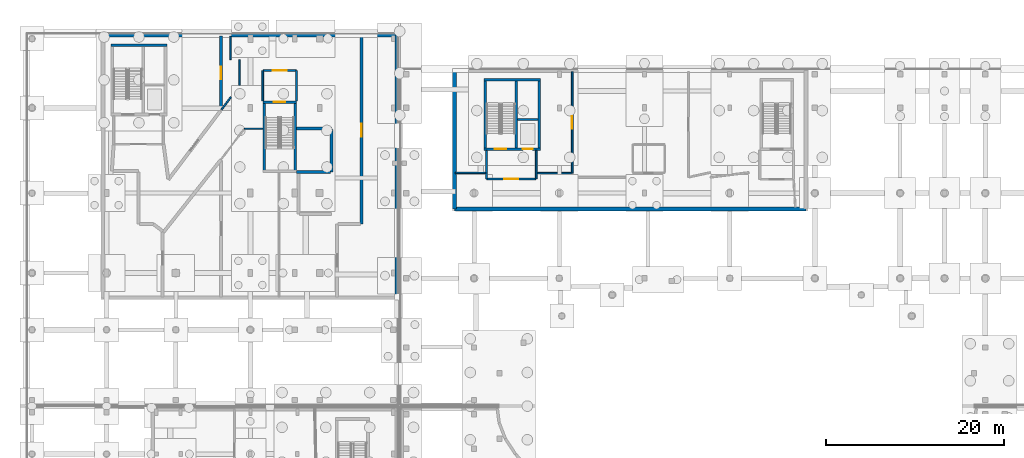
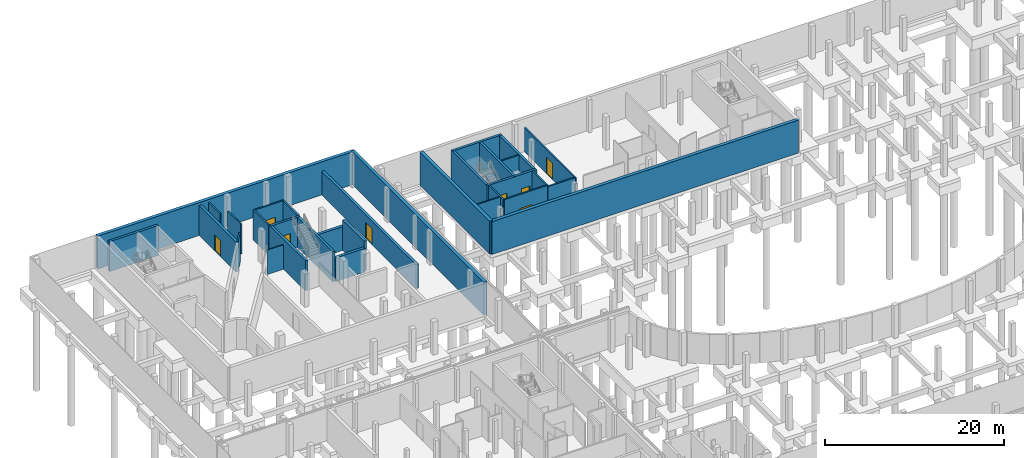
# One storey, part 24 of 40: 32 walls, 8 doors, 8 openings.
"""IFC4 building model written with IfcOpenShell, lengths in metres."""

from ifc_helpers import new_model, si_unit, direction, frame, frame_2d, origin, place, context, subcontext, project, spatial, rectangle, extrude, material, layer, layer_set, type_object, element, fill, save


model = new_model("IFC4")

# Units and contexts
model_context = context("Model", 3, precision=1e-05, world=origin(), true_north=direction((0.0, 1.0)))
body_context = subcontext(model_context, "Body", "Model", "MODEL_VIEW")
ifc_project = project(units=[si_unit("LENGTHUNIT", "METRE"), si_unit("AREAUNIT", "SQUARE_METRE"), si_unit("VOLUMEUNIT", "CUBIC_METRE"), si_unit("PLANEANGLEUNIT", "RADIAN"), si_unit("MASSUNIT", "GRAM", prefix="KILO")], contexts=[model_context])

# Site, building, storey
site_placement = place(None, origin())
site = spatial("IfcSite", under=ifc_project, at=site_placement, CompositionType="ELEMENT")
building_placement = place(site_placement, origin())
building = spatial("IfcBuilding", under=site, at=building_placement, Name="Mzevani Central Library", CompositionType="ELEMENT")
storey_placement = place(building_placement, frame((0.0, 0.0, -4.5)))
storey = spatial("IfcBuildingStorey", under=building, at=storey_placement, Name="B1", CompositionType="ELEMENT", Elevation=-4.5)

# Wall, opening, door
ifc_material_1 = material(Name="Concrete C40/50", Category="concrete")
ifc_layer_1 = layer(ifc_material_1, 0.340087890625, Name="Archival Vault Wall 340")
ifc_layer_set_1 = layer_set([ifc_layer_1], Name="Concrete C40/50")
wall_type_1 = type_object("IfcWallType", Name="Archival Vault Wall 340", PredefinedType="STANDARD", material=ifc_layer_set_1)
wall_1_placement = place(storey_placement, frame((25.8759765625, 117.68994140625, 0.0), z_axis=(0.0, 0.0, 1.0), x_axis=(0.0, -1.0, 0.0)))
wall_1 = element("IfcWall", 1, at=wall_1_placement, inside=storey, type_object=wall_type_1, Name="B1 V2 Partition IW-VAULT (7)", PredefinedType="STANDARD", context=body_context, shape_type="SweptSolid", body=[
    extrude(rectangle(XDim=8.362548828125, YDim=0.340087890625, at=frame_2d((4.18115234375, 0.0))), origin(), (0.0, 0.0, 1.0), 4.10009765625),
])
opening_1_placement = place(wall_1_placement, frame((3.481201171875, 0.0, 0.0)))
opening_1 = element("IfcOpeningElement", 2, at=opening_1_placement, cuts=wall_1, Name="Opening ID-10", PredefinedType="OPENING", context=body_context, shape_type="SweptSolid", body=[
    extrude(rectangle(XDim=1.39990234375, YDim=2.199951171875, at=frame_2d((0.699951171875, 1.10009765625))), frame((0.0, 0.18017578125, 0.0), z_axis=(0.0, -1.0, 0.0), x_axis=(1.0, 0.0, 0.0)), (0.0, 0.0, 1.0), 0.360107421875),
])
ifc_material_2 = material(Name="Fire-rated steel door assembly", Category="steel")
door_type_1 = type_object("IfcDoorType", Name="Plant Room Double Door 1400x2200", OperationType="NOTDEFINED", PredefinedType="DOOR", material=ifc_material_2)
door_1_placement = place(opening_1_placement, origin())
door_1 = element("IfcDoor", 3, at=door_1_placement, inside=storey, type_object=door_type_1, Name="B1 Chiller and District Heating Plant Room Door", OperationType="DOUBLE_DOOR_SINGLE_SWING", OverallHeight=2.199951171875, OverallWidth=1.39990234375, PredefinedType="DOOR", context=body_context, shape_type="SweptSolid", body=[
    extrude(rectangle(XDim=1.39990234375, YDim=2.199951171875, at=frame_2d((0.699951171875, 1.10009765625))), frame((0.0, 0.02490234375, 0.0), z_axis=(0.0, -1.0, 0.0), x_axis=(1.0, 0.0, 0.0)), (0.0, 0.0, 1.0), 0.050048828125),
])
fill(opening_1, door_1)

# Walls
wall_2_placement = place(storey_placement, frame((34.39990234375, 107.25, 0.0), z_axis=(0.0, 0.0, 1.0), x_axis=(1.0, 0.0, 0.0)))
element("IfcWall", 4, at=wall_2_placement, inside=storey, type_object=wall_type_1, Name="B1 V2 Partition IW-VAULT (18)", PredefinedType="STANDARD", context=body_context, shape_type="SweptSolid", body=[
    extrude(rectangle(XDim=3.940185546875, YDim=0.340087890625, at=frame_2d((1.97021484375, 0.0))), origin(), (0.0, 0.0, 1.0), 3.22998046875),
])
wall_3_placement = place(storey_placement, frame((38.340087890625, 107.14990234375, 0.0), z_axis=(0.0, 0.0, 1.0), x_axis=(0.0, -1.0, 0.0)))
element("IfcWall", 5, at=wall_3_placement, inside=storey, type_object=wall_type_1, Name="B1 V2 Partition IW-VAULT (19)", PredefinedType="STANDARD", context=body_context, shape_type="SweptSolid", body=[
    extrude(rectangle(XDim=4.7998046875, YDim=0.340087890625, at=frame_2d((2.39990234375, 0.0))), origin(), (0.0, 0.0, 1.0), 4.10009765625),
])
wall_4_placement = place(storey_placement, frame((38.239990234375, 102.35009765625, 0.0), z_axis=(0.0, 0.0, 1.0), x_axis=(-1.0, 0.0, 0.0)))
element("IfcWall", 6, at=wall_4_placement, inside=storey, type_object=wall_type_1, Name="B1 V2 Partition IW-VAULT (20)", PredefinedType="STANDARD", context=body_context, shape_type="SweptSolid", body=[
    extrude(rectangle(XDim=3.840087890625, YDim=0.340087890625, at=frame_2d((1.919921875, 0.0))), origin(), (0.0, 0.0, 1.0), 3.22998046875),
])

# Wall, opening, door
wall_5_placement = place(storey_placement, frame((41.699951171875, 96.5, 0.0), z_axis=(0.0, 0.0, 1.0), x_axis=(0.0, 1.0, 0.0)))
wall_5 = element("IfcWall", 7, at=wall_5_placement, inside=storey, type_object=wall_type_1, Name="B1 V2 Partition IW-VAULT (24)", PredefinedType="STANDARD", context=body_context, shape_type="SweptSolid", body=[
    extrude(rectangle(XDim=21.1201171875, YDim=0.340087890625, at=frame_2d((10.56005859375, 0.0))), origin(), (0.0, 0.0, 1.0), 3.22998046875),
])
opening_2_placement = place(wall_5_placement, frame((9.8349609375, 0.0, 0.0)))
opening_2 = element("IfcOpeningElement", 8, at=opening_2_placement, cuts=wall_5, Name="Opening FD-03", PredefinedType="OPENING", context=body_context, shape_type="SweptSolid", body=[
    extrude(rectangle(XDim=1.449951171875, YDim=2.199951171875, at=frame_2d((0.72509765625, 1.10009765625))), frame((0.0, 0.18017578125, 0.0), z_axis=(0.0, -1.0, 0.0), x_axis=(1.0, 0.0, 0.0)), (0.0, 0.0, 1.0), 0.360107421875),
])
door_type_2 = type_object("IfcDoorType", Name="Archival Vault Fire Door 1450x2200", OperationType="NOTDEFINED", PredefinedType="DOOR", material=ifc_material_2)
door_2_placement = place(opening_2_placement, origin())
door_2 = element("IfcDoor", 9, at=door_2_placement, inside=storey, type_object=door_type_2, Name="B1 Manuscript Preservation Vault 3 Door", OperationType="DOUBLE_DOOR_SINGLE_SWING", OverallHeight=2.199951171875, OverallWidth=1.449951171875, PredefinedType="DOOR", context=body_context, shape_type="SweptSolid", body=[
    extrude(rectangle(XDim=1.449951171875, YDim=2.199951171875, at=frame_2d((0.72509765625, 1.10009765625))), frame((0.0, 0.02490234375, 0.0), z_axis=(0.0, -1.0, 0.0), x_axis=(1.0, 0.0, 0.0)), (0.0, 0.0, 1.0), 0.050048828125),
])
fill(opening_2, door_2)

# Walls
ifc_material_3 = material(Name="Concrete C35/45", Category="concrete")
ifc_layer_2 = layer(ifc_material_3, 0.419921875, Name="Basement Retaining Wall 420")
ifc_layer_set_2 = layer_set([ifc_layer_2], Name="Concrete C35/45")
wall_type_2 = type_object("IfcWallType", Name="Basement Retaining Wall 420", PredefinedType="SOLIDWALL", material=ifc_layer_set_2)
wall_6_placement = place(storey_placement, frame((12.610107421875, 117.7900390625, 0.0), z_axis=(0.0, 0.0, 1.0), x_axis=(1.0, 0.0, 0.0)))
element("IfcWall", 10, at=wall_6_placement, inside=storey, type_object=wall_type_2, Name="B1 V2 Perimeter Retaining Wall (41)", PredefinedType="SOLIDWALL", context=body_context, shape_type="SweptSolid", body=[
    extrude(rectangle(XDim=33.079833984375, YDim=0.419921875, at=frame_2d((16.5400390625, 0.0))), origin(), (0.0, 0.0, 1.0), 4.5),
])
wall_7_placement = place(storey_placement, frame((45.68994140625, 117.7900390625, 0.0), z_axis=(0.0, 0.0, 1.0), x_axis=(0.0, -1.0, 0.0)))
element("IfcWall", 11, at=wall_7_placement, inside=storey, type_object=wall_type_2, Name="B1 V2 Perimeter Retaining Wall (42)", PredefinedType="SOLIDWALL", context=body_context, shape_type="SweptSolid", body=[
    extrude(rectangle(XDim=29.580078125, YDim=0.419921875, at=frame_2d((14.7900390625, 0.0))), origin(), (0.0, 0.0, 1.0), 4.5),
])
wall_8_placement = place(storey_placement, frame((91.7900390625, 98.2099609375, 0.0), z_axis=(0.0, 0.0, 1.0), x_axis=(-1.0, 0.0, 0.0)))
element("IfcWall", 12, at=wall_8_placement, inside=storey, type_object=wall_type_2, Name="B1 V3 Perimeter Retaining Wall (48)", PredefinedType="SOLIDWALL", context=body_context, shape_type="SweptSolid", body=[
    extrude(rectangle(XDim=39.580078125, YDim=0.419921875, at=frame_2d((19.7900390625, 0.0))), origin(), (0.0, 0.0, 1.0), 4.5),
])
wall_9_placement = place(storey_placement, frame((52.2099609375, 98.2099609375, 0.0), z_axis=(0.0, 0.0, 1.0), x_axis=(0.0, 1.0, 0.0)))
element("IfcWall", 13, at=wall_9_placement, inside=storey, type_object=wall_type_2, Name="B1 V3 Perimeter Retaining Wall (49)", PredefinedType="SOLIDWALL", context=body_context, shape_type="SweptSolid", body=[
    extrude(rectangle(XDim=15.580078125, YDim=0.419921875, at=frame_2d((7.7900390625, 0.0))), origin(), (0.0, 0.0, 1.0), 4.5),
])
ifc_layer_3 = layer(ifc_material_3, 0.199951171875, Name="Compartment Wall 200")
ifc_layer_set_3 = layer_set([ifc_layer_3], Name="Concrete C35/45")
wall_type_3 = type_object("IfcWallType", Name="Compartment Wall 200", PredefinedType="STANDARD", material=ifc_layer_set_3)
wall_10_placement = place(storey_placement, frame((30.60009765625, 110.39990234375, 0.0), z_axis=(0.0, 0.0, 1.0), x_axis=(0.0, 1.0, 0.0)))
element("IfcWall", 14, at=wall_10_placement, inside=storey, type_object=wall_type_3, Name="B1 Stair Vestibule C2B Enclosure Wall 1", PredefinedType="STANDARD", context=body_context, shape_type="SweptSolid", body=[
    extrude(rectangle(XDim=3.400146484375, YDim=0.199951171875, at=frame_2d((1.7001953125, 0.0))), origin(), (0.0, 0.0, 1.0), 4.10009765625),
])

# Wall, opening, door
wall_11_placement = place(storey_placement, frame((30.60009765625, 113.800048828125, 0.0), z_axis=(0.0, 0.0, 1.0), x_axis=(1.0, 0.0, 0.0)))
wall_11 = element("IfcWall", 15, at=wall_11_placement, inside=storey, type_object=wall_type_3, Name="B1 Stair Vestibule C2B Enclosure Wall 2", PredefinedType="STANDARD", context=body_context, shape_type="SweptSolid", body=[
    extrude(rectangle(XDim=3.7998046875, YDim=0.199951171875, at=frame_2d((1.89990234375, 0.0))), origin(), (0.0, 0.0, 1.0), 4.10009765625),
])
opening_3_placement = place(wall_11_placement, frame((1.10009765625, 0.0, 0.0)))
opening_3 = element("IfcOpeningElement", 16, at=opening_3_placement, cuts=wall_11, Name="Opening FD-02", PredefinedType="OPENING", context=body_context, shape_type="SweptSolid", body=[
    extrude(rectangle(XDim=1.60009765625, YDim=2.199951171875, at=frame_2d((0.800048828125, 1.10009765625))), frame((0.0, 0.10986328125, 0.0), z_axis=(0.0, -1.0, 0.0), x_axis=(1.0, 0.0, 0.0)), (0.0, 0.0, 1.0), 0.219970703125),
])
door_type_3 = type_object("IfcDoorType", Name="Fire Lobby Double Door 1600x2200", OperationType="NOTDEFINED", PredefinedType="DOOR", material=ifc_material_2)
door_3_placement = place(opening_3_placement, origin())
door_3 = element("IfcDoor", 17, at=door_3_placement, inside=storey, type_object=door_type_3, Name="B1 Stair Vestibule C2B Smoke-Control Door", OperationType="DOUBLE_DOOR_SINGLE_SWING", OverallHeight=2.199951171875, OverallWidth=1.60009765625, PredefinedType="DOOR", context=body_context, shape_type="SweptSolid", body=[
    extrude(rectangle(XDim=1.60009765625, YDim=2.199951171875, at=frame_2d((0.800048828125, 1.10009765625))), frame((0.0, 0.02490234375, 0.0), z_axis=(0.0, -1.0, 0.0), x_axis=(1.0, 0.0, 0.0)), (0.0, 0.0, 1.0), 0.050048828125),
])
fill(opening_3, door_3)

# Walls
wall_12_placement = place(storey_placement, frame((34.39990234375, 113.800048828125, 0.0), z_axis=(0.0, 0.0, 1.0), x_axis=(0.0, -1.0, 0.0)))
element("IfcWall", 18, at=wall_12_placement, inside=storey, type_object=wall_type_3, Name="B1 Stair Vestibule C2B Enclosure Wall 3", PredefinedType="STANDARD", context=body_context, shape_type="SweptSolid", body=[
    extrude(rectangle(XDim=3.400146484375, YDim=0.199951171875, at=frame_2d((1.7001953125, 0.0))), origin(), (0.0, 0.0, 1.0), 4.10009765625),
])
wall_13_placement = place(storey_placement, frame((55.800048828125, 104.800048828125, 0.0), z_axis=(0.0, 0.0, 1.0), x_axis=(0.0, -1.0, 0.0)))
element("IfcWall", 19, at=wall_13_placement, inside=storey, type_object=wall_type_3, Name="B1 Firefighting Stair and Lift Lobby C3A Enclosure Wall 1", PredefinedType="STANDARD", context=body_context, shape_type="SweptSolid", body=[
    extrude(rectangle(XDim=3.199951171875, YDim=0.199951171875, at=frame_2d((1.60009765625, 0.0))), origin(), (0.0, 0.0, 1.0), 4.10009765625),
])

# Wall, opening, door
wall_14_placement = place(storey_placement, frame((55.800048828125, 101.60009765625, 0.0), z_axis=(0.0, 0.0, 1.0), x_axis=(1.0, 0.0, 0.0)))
wall_14 = element("IfcWall", 20, at=wall_14_placement, inside=storey, type_object=wall_type_3, Name="B1 Firefighting Stair and Lift Lobby C3A Enclosure Wall 2", PredefinedType="STANDARD", context=body_context, shape_type="SweptSolid", body=[
    extrude(rectangle(XDim=5.599853515625, YDim=0.199951171875, at=frame_2d((2.7998046875, 0.0))), origin(), (0.0, 0.0, 1.0), 4.10009765625),
])
opening_4_placement = place(wall_14_placement, frame((2.0, 0.0, 0.0)))
opening_4 = element("IfcOpeningElement", 21, at=opening_4_placement, cuts=wall_14, Name="Opening FD-02", PredefinedType="OPENING", context=body_context, shape_type="SweptSolid", body=[
    extrude(rectangle(XDim=1.60009765625, YDim=2.199951171875, at=frame_2d((0.800048828125, 1.10009765625))), frame((0.0, 0.10986328125, 0.0), z_axis=(0.0, -1.0, 0.0), x_axis=(1.0, 0.0, 0.0)), (0.0, 0.0, 1.0), 0.219970703125),
])
door_4_placement = place(opening_4_placement, origin())
door_4 = element("IfcDoor", 22, at=door_4_placement, inside=storey, type_object=door_type_3, Name="B1 Firefighting Stair and Lift Lobby C3A Smoke-Control Door", OperationType="DOUBLE_DOOR_SINGLE_SWING", OverallHeight=2.199951171875, OverallWidth=1.60009765625, PredefinedType="DOOR", context=body_context, shape_type="SweptSolid", body=[
    extrude(rectangle(XDim=1.60009765625, YDim=2.199951171875, at=frame_2d((0.800048828125, 1.10009765625))), frame((0.0, 0.02490234375, 0.0), z_axis=(0.0, -1.0, 0.0), x_axis=(1.0, 0.0, 0.0)), (0.0, 0.0, 1.0), 0.050048828125),
])
fill(opening_4, door_4)

# Walls
wall_15_placement = place(storey_placement, frame((61.39990234375, 101.60009765625, 0.0), z_axis=(0.0, 0.0, 1.0), x_axis=(0.0, 1.0, 0.0)))
element("IfcWall", 23, at=wall_15_placement, inside=storey, type_object=wall_type_3, Name="B1 Firefighting Stair and Lift Lobby C3A Enclosure Wall 3", PredefinedType="STANDARD", context=body_context, shape_type="SweptSolid", body=[
    extrude(rectangle(XDim=3.199951171875, YDim=0.199951171875, at=frame_2d((1.60009765625, 0.0))), origin(), (0.0, 0.0, 1.0), 4.10009765625),
])
ifc_layer_4 = layer(ifc_material_1, 0.300048828125, Name="Core Shear Wall 300")
ifc_layer_set_4 = layer_set([ifc_layer_4], Name="Concrete C40/50")
wall_type_4 = type_object("IfcWallType", Name="Core Shear Wall 300", PredefinedType="SHEAR", material=ifc_layer_set_4)
wall_16_placement = place(storey_placement, frame((13.5, 116.64990234375, 0.0), z_axis=(0.0, 0.0, 1.0), x_axis=(1.0, 0.0, 0.0)))
element("IfcWall", 24, at=wall_16_placement, inside=storey, type_object=wall_type_4, Name="B1 Core C2A North-West Firefighting Core Shear Wall (+y)", PredefinedType="SHEAR", context=body_context, shape_type="SweptSolid", body=[
    extrude(rectangle(XDim=6.300048828125, YDim=0.300048828125, at=frame_2d((3.14990234375, 0.0))), origin(), (0.0, 0.0, 1.0), 4.10009765625),
])
wall_17_placement = place(storey_placement, frame((30.75, 102.300048828125, 0.0), z_axis=(0.0, 0.0, 1.0), x_axis=(0.0, 1.0, 0.0)))
element("IfcWall", 25, at=wall_17_placement, inside=storey, type_object=wall_type_4, Name="B1 Core C2B Stacks East Escape Stair Shear Wall (-x)", PredefinedType="SHEAR", context=body_context, shape_type="SweptSolid", body=[
    extrude(rectangle(XDim=8.099853515625, YDim=0.300048828125, at=frame_2d((4.0498046875, 0.0))), origin(), (0.0, 0.0, 1.0), 4.10009765625),
])

# Wall, opening, door
wall_18_placement = place(storey_placement, frame((30.60009765625, 110.25, 0.0), z_axis=(0.0, 0.0, 1.0), x_axis=(1.0, 0.0, 0.0)))
wall_18 = element("IfcWall", 26, at=wall_18_placement, inside=storey, type_object=wall_type_4, Name="B1 Core C2B Stacks East Escape Stair Shear Wall (+y)", PredefinedType="SHEAR", context=body_context, shape_type="SweptSolid", body=[
    extrude(rectangle(XDim=3.7998046875, YDim=0.300048828125, at=frame_2d((1.89990234375, 0.0))), origin(), (0.0, 0.0, 1.0), 4.10009765625),
])
opening_5_placement = place(wall_18_placement, frame((1.25, 0.0, 0.0)))
opening_5 = element("IfcOpeningElement", 27, at=opening_5_placement, cuts=wall_18, Name="Opening FD-01", PredefinedType="OPENING", context=body_context, shape_type="SweptSolid", body=[
    extrude(rectangle(XDim=1.300048828125, YDim=2.199951171875, at=frame_2d((0.64990234375, 1.10009765625))), frame((0.0, 0.16015625, 0.0), z_axis=(0.0, -1.0, 0.0), x_axis=(1.0, 0.0, 0.0)), (0.0, 0.0, 1.0), 0.320068359375),
])
door_type_4 = type_object("IfcDoorType", Name="Fire Stair Door 1300x2200", OperationType="NOTDEFINED", PredefinedType="DOOR", material=ifc_material_2)
door_5_placement = place(opening_5_placement, origin())
door_5 = element("IfcDoor", 28, at=door_5_placement, inside=storey, type_object=door_type_4, Name="B1 ST-04 Protected Exit Stair Door", OperationType="SINGLE_SWING_LEFT", OverallHeight=2.199951171875, OverallWidth=1.300048828125, PredefinedType="DOOR", context=body_context, shape_type="SweptSolid", body=[
    extrude(rectangle(XDim=1.300048828125, YDim=2.199951171875, at=frame_2d((0.64990234375, 1.10009765625))), frame((0.0, 0.02490234375, 0.0), z_axis=(0.0, -1.0, 0.0), x_axis=(1.0, 0.0, 0.0)), (0.0, 0.0, 1.0), 0.050048828125),
])
fill(opening_5, door_5)

# Wall
wall_19_placement = place(storey_placement, frame((34.25, 110.39990234375, 0.0), z_axis=(0.0, 0.0, 1.0), x_axis=(0.0, -1.0, 0.0)))
element("IfcWall", 29, at=wall_19_placement, inside=storey, type_object=wall_type_4, Name="B1 Core C2B Stacks East Escape Stair Shear Wall (+x)", PredefinedType="SHEAR", context=body_context, shape_type="SweptSolid", body=[
    extrude(rectangle(XDim=8.099853515625, YDim=0.300048828125, at=frame_2d((4.0498046875, 0.0))), origin(), (0.0, 0.0, 1.0), 4.10009765625),
])

# Wall, openings, doors
wall_20_placement = place(storey_placement, frame((61.89990234375, 104.949951171875, 0.0), z_axis=(0.0, 0.0, 1.0), x_axis=(-1.0, 0.0, 0.0)))
wall_20 = element("IfcWall", 30, at=wall_20_placement, inside=storey, type_object=wall_type_4, Name="B1 Core C3A North-East Firefighting Core Shear Wall (-y)", PredefinedType="SHEAR", context=body_context, shape_type="SweptSolid", body=[
    extrude(rectangle(XDim=6.39990234375, YDim=0.300048828125, at=frame_2d((3.199951171875, 0.0))), origin(), (0.0, 0.0, 1.0), 4.10009765625),
])
opening_6_placement = place(wall_20_placement, frame((3.85009765625, 0.0, 0.0)))
opening_6 = element("IfcOpeningElement", 31, at=opening_6_placement, cuts=wall_20, Name="Opening FD-01", PredefinedType="OPENING", context=body_context, shape_type="SweptSolid", body=[
    extrude(rectangle(XDim=1.300048828125, YDim=2.199951171875, at=frame_2d((0.64990234375, 1.10009765625))), frame((0.0, 0.16015625, 0.0), z_axis=(0.0, -1.0, 0.0), x_axis=(1.0, 0.0, 0.0)), (0.0, 0.0, 1.0), 0.320068359375),
])
opening_7_placement = place(wall_20_placement, frame((0.89990234375, 0.0, 0.0)))
opening_7 = element("IfcOpeningElement", 32, at=opening_7_placement, cuts=wall_20, Name="Opening LD-02", PredefinedType="OPENING", context=body_context, shape_type="SweptSolid", body=[
    extrude(rectangle(XDim=1.10009765625, YDim=2.14990234375, at=frame_2d((0.550048828125, 1.074951171875))), frame((0.0, 0.16015625, 0.0), z_axis=(0.0, -1.0, 0.0), x_axis=(1.0, 0.0, 0.0)), (0.0, 0.0, 1.0), 0.320068359375),
])
door_6_placement = place(opening_6_placement, origin())
door_6 = element("IfcDoor", 33, at=door_6_placement, inside=storey, type_object=door_type_4, Name="B1 ST-05 Protected Exit Stair Door", OperationType="SINGLE_SWING_RIGHT", OverallHeight=2.199951171875, OverallWidth=1.300048828125, PredefinedType="DOOR", context=body_context, shape_type="SweptSolid", body=[
    extrude(rectangle(XDim=1.300048828125, YDim=2.199951171875, at=frame_2d((0.64990234375, 1.10009765625))), frame((0.0, 0.02490234375, 0.0), z_axis=(0.0, -1.0, 0.0), x_axis=(1.0, 0.0, 0.0)), (0.0, 0.0, 1.0), 0.050048828125),
])
fill(opening_6, door_6)
ifc_material_4 = material(Name="Brushed stainless steel door", Category="steel")
door_type_5 = type_object("IfcDoorType", Name="Firefighting Lift Landing Door 1100x2150", OperationType="NOTDEFINED", PredefinedType="DOOR", material=ifc_material_4)
door_7_placement = place(opening_7_placement, origin())
door_7 = element("IfcDoor", 34, at=door_7_placement, inside=storey, type_object=door_type_5, Name="B1 Lift LF-FF2 Sliding Landing Door", OperationType="SLIDING_TO_LEFT", OverallHeight=2.14990234375, OverallWidth=1.10009765625, PredefinedType="DOOR", context=body_context, shape_type="SweptSolid", body=[
    extrude(rectangle(XDim=1.10009765625, YDim=2.14990234375, at=frame_2d((0.550048828125, 1.074951171875))), frame((0.0, 0.02490234375, 0.0), z_axis=(0.0, -1.0, 0.0), x_axis=(1.0, 0.0, 0.0)), (0.0, 0.0, 1.0), 0.050048828125),
])
fill(opening_7, door_7)

# Walls
wall_21_placement = place(storey_placement, frame((55.64990234375, 104.800048828125, 0.0), z_axis=(0.0, 0.0, 1.0), x_axis=(0.0, 1.0, 0.0)))
element("IfcWall", 35, at=wall_21_placement, inside=storey, type_object=wall_type_4, Name="B1 Core C3A North-East Firefighting Core Shear Wall (-x)", PredefinedType="SHEAR", context=body_context, shape_type="SweptSolid", body=[
    extrude(rectangle(XDim=8.099853515625, YDim=0.300048828125, at=frame_2d((4.0498046875, 0.0))), origin(), (0.0, 0.0, 1.0), 4.10009765625),
])
wall_22_placement = place(storey_placement, frame((55.5, 112.75, 0.0), z_axis=(0.0, 0.0, 1.0), x_axis=(1.0, 0.0, 0.0)))
element("IfcWall", 36, at=wall_22_placement, inside=storey, type_object=wall_type_4, Name="B1 Core C3A North-East Firefighting Core Shear Wall (+y)", PredefinedType="SHEAR", context=body_context, shape_type="SweptSolid", body=[
    extrude(rectangle(XDim=6.39990234375, YDim=0.300048828125, at=frame_2d((3.199951171875, 0.0))), origin(), (0.0, 0.0, 1.0), 4.10009765625),
])
wall_23_placement = place(storey_placement, frame((61.75, 112.89990234375, 0.0), z_axis=(0.0, 0.0, 1.0), x_axis=(0.0, -1.0, 0.0)))
element("IfcWall", 37, at=wall_23_placement, inside=storey, type_object=wall_type_4, Name="B1 Core C3A North-East Firefighting Core Shear Wall (+x)", PredefinedType="SHEAR", context=body_context, shape_type="SweptSolid", body=[
    extrude(rectangle(XDim=8.099853515625, YDim=0.300048828125, at=frame_2d((4.0498046875, 0.0))), origin(), (0.0, 0.0, 1.0), 4.10009765625),
])
wall_24_placement = place(storey_placement, frame((59.14990234375, 104.949951171875, 0.0), z_axis=(0.0, 0.0, 1.0), x_axis=(0.0, 1.0, 0.0)))
element("IfcWall", 38, at=wall_24_placement, inside=storey, type_object=wall_type_4, Name="B1 Core C3A North-East Firefighting Core Hoistway Shear Wall", PredefinedType="SHEAR", context=body_context, shape_type="SweptSolid", body=[
    extrude(rectangle(XDim=7.800048828125, YDim=0.300048828125, at=frame_2d((3.89990234375, 0.0))), origin(), (0.0, 0.0, 1.0), 4.10009765625),
])
ifc_material_5 = material(Name="Fire-rated gypsum board", Category="gypsum")
ifc_layer_5 = layer(ifc_material_5, 0.1201171875, Name="Partition Acoustic 120")
ifc_layer_set_5 = layer_set([ifc_layer_5], Name="Fire-rated gypsum board")
wall_type_5 = type_object("IfcWallType", Name="Partition Acoustic 120", PredefinedType="PARTITIONING", material=ifc_layer_set_5)
wall_25_placement = place(storey_placement, frame((28.517578125, 107.25, 0.0), z_axis=(0.0, 0.0, 1.0), x_axis=(1.0, 0.0, 0.0)))
element("IfcWall", 39, at=wall_25_placement, inside=storey, type_object=wall_type_5, Name="B1 V2 Partition IW-02 (12)", PredefinedType="PARTITIONING", context=body_context, shape_type="SweptSolid", body=[
    extrude(rectangle(XDim=2.08251953125, YDim=0.1201171875, at=frame_2d((1.041259765625, 0.0))), origin(), (0.0, 0.0, 1.0), 3.330078125),
])
ifc_material_6 = material(Name="Concrete blockwork masonry", Category="masonry")
ifc_layer_6 = layer(ifc_material_6, 0.179931640625, Name="Shaft Enclosure Wall 180")
ifc_layer_set_6 = layer_set([ifc_layer_6], Name="Concrete blockwork masonry")
wall_type_6 = type_object("IfcWallType", Name="Shaft Enclosure Wall 180", PredefinedType="PARTITIONING", material=ifc_layer_set_6)
wall_26_placement = place(storey_placement, frame((59.300048828125, 108.2900390625, 0.0), z_axis=(0.0, 0.0, 1.0), x_axis=(1.0, 0.0, 0.0)))
element("IfcWall", 40, at=wall_26_placement, inside=storey, type_object=wall_type_6, Name="B1 Lift LF-FF2 Hoistway Enclosure Wall", PredefinedType="PARTITIONING", context=body_context, shape_type="SweptSolid", body=[
    extrude(rectangle(XDim=2.300048828125, YDim=0.179931640625, at=frame_2d((1.14990234375, 0.0))), origin(), (0.0, 0.0, 1.0), 4.10009765625),
])
wall_27_placement = place(storey_placement, frame((26.97509765625, 117.68994140625, 0.0), z_axis=(0.0, 0.0, 1.0), x_axis=(0.0, -1.0, 0.0)))
element("IfcWall", 41, at=wall_27_placement, inside=storey, type_object=wall_type_6, Name="B1 V2 Partition IW-04 (15)", PredefinedType="PARTITIONING", context=body_context, shape_type="SweptSolid", body=[
    extrude(rectangle(XDim=2.6650390625, YDim=0.179931640625, at=frame_2d((1.33251953125, 0.0))), origin(), (0.0, 0.0, 1.0), 4.10009765625),
])
wall_28_placement = place(storey_placement, frame((28.0, 115.02490234375, 0.0), z_axis=(0.0, 0.0, 1.0), x_axis=(0.0, -1.0, 0.0)))
element("IfcWall", 42, at=wall_28_placement, inside=storey, type_object=wall_type_6, Name="B1 V2 Partition IW-04 (16)", PredefinedType="PARTITIONING", context=body_context, shape_type="SweptSolid", body=[
    extrude(rectangle(XDim=2.889404296875, YDim=0.179931640625, at=frame_2d((1.44482421875, 0.0))), origin(), (0.0, 0.0, 1.0), 4.10009765625),
])
wall_29_placement = place(storey_placement, frame((27.0, 110.8134765625, 0.0), z_axis=(0.0, 0.0, 1.0), x_axis=(-0.603273712598, -0.797534217252, 0.0)))
element("IfcWall", 43, at=wall_29_placement, inside=storey, type_object=wall_type_6, Name="B1 V2 Partition IW-04 (17)", PredefinedType="PARTITIONING", context=body_context, shape_type="SweptSolid", body=[
    extrude(rectangle(XDim=1.76318359375, YDim=0.179931640625, at=frame_2d((0.881591796875, 0.0))), origin(), (0.0, 0.0, 1.0), 4.10009765625),
])
wall_30_placement = place(storey_placement, frame((55.699951171875, 102.27490234375, 0.0), z_axis=(0.0, 0.0, 1.0), x_axis=(-1.0, 0.0, 0.0)))
element("IfcWall", 44, at=wall_30_placement, inside=storey, type_object=wall_type_6, Name="B1 V3 Partition IW-04 (30)", PredefinedType="PARTITIONING", context=body_context, shape_type="SweptSolid", body=[
    extrude(rectangle(XDim=3.389892578125, YDim=0.179931640625, at=frame_2d((1.69482421875, 0.0))), origin(), (0.0, 0.0, 1.0), 4.10009765625),
])

# Wall, opening, door
wall_31_placement = place(storey_placement, frame((65.4599609375, 113.68994140625, 0.0), z_axis=(0.0, 0.0, 1.0), x_axis=(0.0, -1.0, 0.0)))
wall_31 = element("IfcWall", 45, at=wall_31_placement, inside=storey, type_object=wall_type_6, Name="B1 V3 Partition IW-04 (31)", PredefinedType="PARTITIONING", context=body_context, shape_type="SweptSolid", body=[
    extrude(rectangle(XDim=11.43994140625, YDim=0.179931640625, at=frame_2d((5.719970703125, 0.0))), origin(), (0.0, 0.0, 1.0), 3.280029296875),
])
opening_8_placement = place(wall_31_placement, frame((5.02001953125, 0.0, 0.0)))
opening_8 = element("IfcOpeningElement", 46, at=opening_8_placement, cuts=wall_31, Name="Opening ID-10", PredefinedType="OPENING", context=body_context, shape_type="SweptSolid", body=[
    extrude(rectangle(XDim=1.39990234375, YDim=2.199951171875, at=frame_2d((0.699951171875, 1.10009765625))), frame((0.0, 0.10009765625, 0.0), z_axis=(0.0, -1.0, 0.0), x_axis=(1.0, 0.0, 0.0)), (0.0, 0.0, 1.0), 0.199951171875),
])
door_8_placement = place(opening_8_placement, origin())
door_8 = element("IfcDoor", 47, at=door_8_placement, inside=storey, type_object=door_type_1, Name="B1 Main Electrical Switchgear and Substation Room Door", OperationType="DOUBLE_DOOR_SINGLE_SWING", OverallHeight=2.199951171875, OverallWidth=1.39990234375, PredefinedType="DOOR", context=body_context, shape_type="SweptSolid", body=[
    extrude(rectangle(XDim=1.39990234375, YDim=2.199951171875, at=frame_2d((0.699951171875, 1.10009765625))), frame((0.0, 0.02490234375, 0.0), z_axis=(0.0, -1.0, 0.0), x_axis=(1.0, 0.0, 0.0)), (0.0, 0.0, 1.0), 0.050048828125),
])
fill(opening_8, door_8)

# Wall
wall_32_placement = place(storey_placement, frame((65.360107421875, 102.25, 0.0), z_axis=(0.0, 0.0, 1.0), x_axis=(-1.0, 0.0, 0.0)))
element("IfcWall", 48, at=wall_32_placement, inside=storey, type_object=wall_type_6, Name="B1 V3 Partition IW-04 (32)", PredefinedType="PARTITIONING", context=body_context, shape_type="SweptSolid", body=[
    extrude(rectangle(XDim=3.860107421875, YDim=0.179931640625, at=frame_2d((1.93017578125, 0.0))), origin(), (0.0, 0.0, 1.0), 3.3798828125),
])

save(model, "model.ifc")
